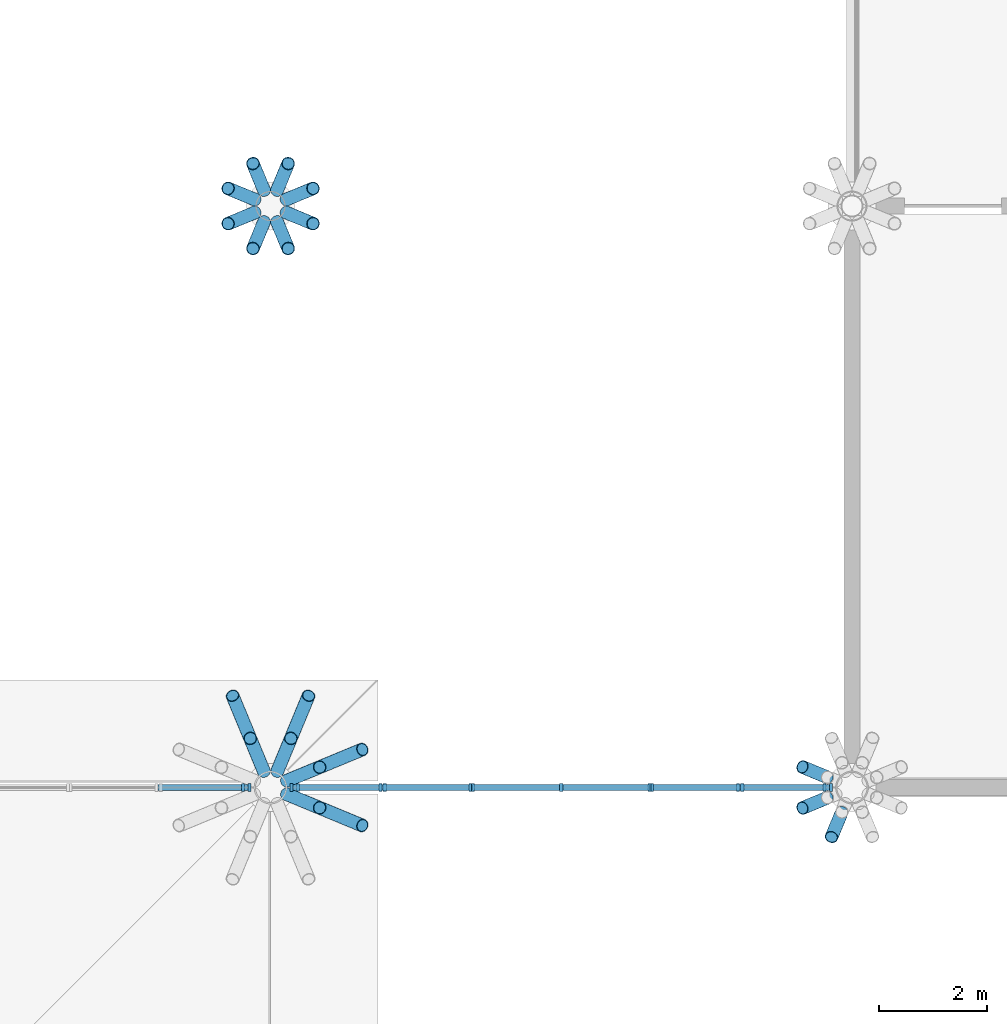
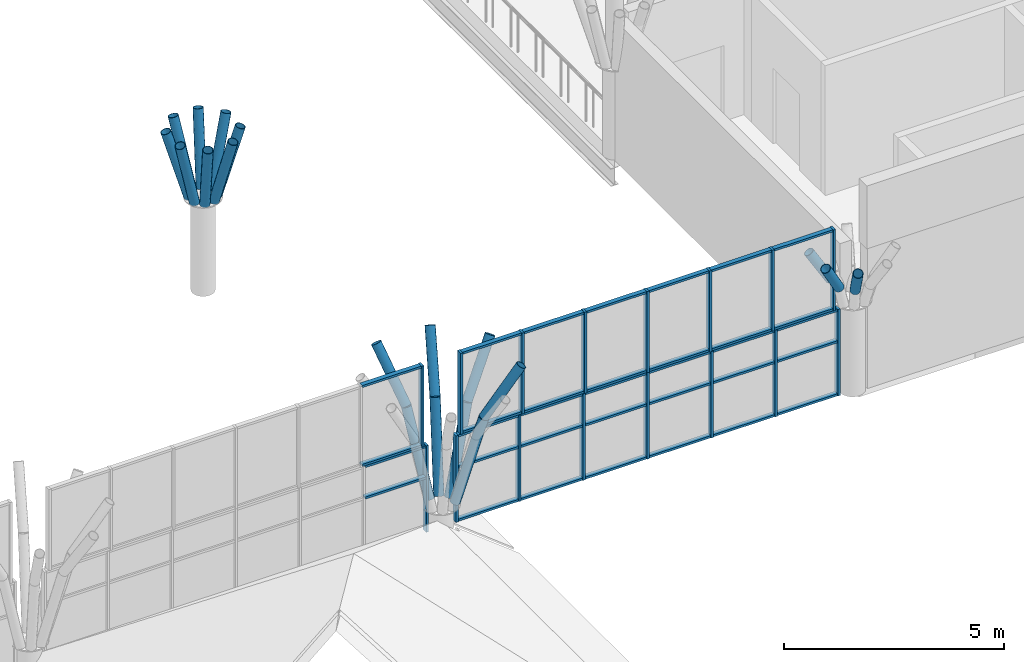
# One storey, part 19 of 95: 69 members, 4 elements without a shape of their own.
"""IFC4 building model written with IfcOpenShell, lengths in metres."""

from ifc_helpers import new_model, si_unit, direction, frame, origin, origin_2d, place, context, subcontext, project, spatial, rectangle, hollow_circle, extrude, material, layer, layer_set, material_profile, profile_set, type_object, element, aggregate, save


model = new_model("IFC4")

# Units and contexts
model_context = context("Model", 3, precision=1e-05, world=origin(), true_north=direction((0.0, 1.0)))
body_context = subcontext(model_context, "Body", "Model", "MODEL_VIEW")
ifc_project = project(units=[si_unit("LENGTHUNIT", "METRE"), si_unit("AREAUNIT", "SQUARE_METRE"), si_unit("VOLUMEUNIT", "CUBIC_METRE"), si_unit("PLANEANGLEUNIT", "RADIAN"), si_unit("MASSUNIT", "GRAM", prefix="KILO")], contexts=[model_context])

# Site, building, storey
site_placement = place(None, origin())
site = spatial("IfcSite", under=ifc_project, at=site_placement, CompositionType="ELEMENT")
building_placement = place(site_placement, origin())
building = spatial("IfcBuilding", under=site, at=building_placement, Name="Magnolia Steps Interchange", CompositionType="ELEMENT")
storey_placement = place(building_placement, frame((0.0, 0.0, 4.800048828125)))
storey = spatial("IfcBuildingStorey", under=building, at=storey_placement, Name="L01", CompositionType="ELEMENT", Elevation=4.800048828125)

# Curtain wall, member
ifc_material_1 = material(Name="Powder-coated aluminium and glass", Category="aluminium")
ifc_layer_1 = layer(ifc_material_1, 0.14990234375)
ifc_layer_set_1 = layer_set([ifc_layer_1], Name="Glazed hall curtain wall")
curtain_wall_type_1 = type_object("IfcCurtainWallType", Name="Glazed hall curtain wall", PredefinedType="NOTDEFINED", material=ifc_layer_set_1)
curtain_wall_1_placement = place(storey_placement, origin())
curtain_wall_1 = element("IfcCurtainWall", 1, at=curtain_wall_1_placement, inside=storey, type_object=curtain_wall_type_1, Name="Hall glazing S4 L01", PredefinedType="NOTDEFINED")
ifc_material_2 = material(Name="White powder-coated aluminium", Category="aluminium")
ifc_material_profile_1 = material_profile(ifc_material_2, rectangle(XDim=0.06005859375, YDim=0.14990234375, at=origin_2d()), Name="Aluminium mullion 60 x 150")
ifc_profile_set_1 = profile_set([ifc_material_profile_1], Name="White powder-coated aluminium")
member_type_1 = type_object("IfcMemberType", Name="Aluminium mullion 60 x 150", PredefinedType="MULLION", material=ifc_profile_set_1)
member_1_placement = place(storey_placement, frame((96.010009765625, 42.39990234375, 0.0), z_axis=(0.0, 0.0, 1.0), x_axis=(1.0, 0.0, 0.0)))
member_1 = element("IfcMember", 2, at=member_1_placement, type_object=member_type_1, Name="CW1 mullion 7", PredefinedType="MULLION", context=body_context, shape_type="SweptSolid", body=[
    extrude(rectangle(XDim=0.06005859375, YDim=0.14990234375, at=origin_2d()), origin(), (0.0, 0.0, 1.0), 2.39990234375),
])

ifc_material_3 = material(Name="Powder-coated aluminium and glass", Category="aluminium")
ifc_layer_2 = layer(ifc_material_3, 0.1201171875)
ifc_layer_set_2 = layer_set([ifc_layer_2], Name="Hall clerestory curtain wall")
curtain_wall_type_2 = type_object("IfcCurtainWallType", Name="Hall clerestory curtain wall", PredefinedType="NOTDEFINED", material=ifc_layer_set_2)
curtain_wall_2_placement = place(storey_placement, origin())
curtain_wall_2 = element("IfcCurtainWall", 3, at=curtain_wall_2_placement, inside=storey, type_object=curtain_wall_type_2, Name="Hall clerestory S4", PredefinedType="NOTDEFINED")
member_2_placement = place(storey_placement, frame((95.889892578125, 42.39990234375, 2.39990234375), z_axis=(0.0, 0.0, 1.0), x_axis=(1.0, 0.0, 0.0)))
member_2 = element("IfcMember", 4, at=member_2_placement, type_object=member_type_1, Name="CW6 mullion 7", PredefinedType="MULLION", context=body_context, shape_type="SweptSolid", body=[
    extrude(rectangle(XDim=0.06005859375, YDim=0.14990234375, at=origin_2d()), origin(), (0.0, 0.0, 1.0), 2.248779296875),
])

# Curtain wall, members
curtain_wall_3_placement = place(storey_placement, origin())
curtain_wall_3 = element("IfcCurtainWall", 5, at=curtain_wall_3_placement, inside=storey, type_object=curtain_wall_type_1, Name="Hall glazing S5 L01", PredefinedType="NOTDEFINED")
member_3_placement = place(storey_placement, frame((96.7900390625, 42.39990234375, 0.0), z_axis=(0.0, 0.0, 1.0), x_axis=(1.0, 0.0, 0.0)))
member_3 = element("IfcMember", 6, at=member_3_placement, type_object=member_type_1, Name="CW1 mullion 1", PredefinedType="MULLION", context=body_context, shape_type="SweptSolid", body=[
    extrude(rectangle(XDim=0.06005859375, YDim=0.14990234375, at=origin_2d()), origin(), (0.0, 0.0, 1.0), 2.39990234375),
])
member_4_placement = place(storey_placement, frame((98.43994140625, 42.39990234375, 0.0), z_axis=(0.0, 0.0, 1.0), x_axis=(1.0, 0.0, 0.0)))
member_4 = element("IfcMember", 7, at=member_4_placement, type_object=member_type_1, Name="CW1 mullion 2", PredefinedType="MULLION", context=body_context, shape_type="SweptSolid", body=[
    extrude(rectangle(XDim=0.06005859375, YDim=0.14990234375, at=origin_2d()), origin(), (0.0, 0.0, 1.0), 2.39990234375),
])
member_5_placement = place(storey_placement, frame((100.1201171875, 42.39990234375, 0.0), z_axis=(0.0, 0.0, 1.0), x_axis=(1.0, 0.0, 0.0)))
member_5 = element("IfcMember", 8, at=member_5_placement, type_object=member_type_1, Name="CW1 mullion 3", PredefinedType="MULLION", context=body_context, shape_type="SweptSolid", body=[
    extrude(rectangle(XDim=0.06005859375, YDim=0.14990234375, at=origin_2d()), origin(), (0.0, 0.0, 1.0), 2.39990234375),
])
member_6_placement = place(storey_placement, frame((101.800048828125, 42.39990234375, 0.0), z_axis=(0.0, 0.0, 1.0), x_axis=(1.0, 0.0, 0.0)))
member_6 = element("IfcMember", 9, at=member_6_placement, type_object=member_type_1, Name="CW1 mullion 4", PredefinedType="MULLION", context=body_context, shape_type="SweptSolid", body=[
    extrude(rectangle(XDim=0.06005859375, YDim=0.14990234375, at=origin_2d()), origin(), (0.0, 0.0, 1.0), 2.39990234375),
])
member_7_placement = place(storey_placement, frame((103.47998046875, 42.39990234375, 0.0), z_axis=(0.0, 0.0, 1.0), x_axis=(1.0, 0.0, 0.0)))
member_7 = element("IfcMember", 10, at=member_7_placement, type_object=member_type_1, Name="CW1 mullion 5", PredefinedType="MULLION", context=body_context, shape_type="SweptSolid", body=[
    extrude(rectangle(XDim=0.06005859375, YDim=0.14990234375, at=origin_2d()), origin(), (0.0, 0.0, 1.0), 2.39990234375),
])
member_8_placement = place(storey_placement, frame((105.159912109375, 42.39990234375, 0.0), z_axis=(0.0, 0.0, 1.0), x_axis=(1.0, 0.0, 0.0)))
member_8 = element("IfcMember", 11, at=member_8_placement, type_object=member_type_1, Name="CW1 mullion 6", PredefinedType="MULLION", context=body_context, shape_type="SweptSolid", body=[
    extrude(rectangle(XDim=0.06005859375, YDim=0.14990234375, at=origin_2d()), origin(), (0.0, 0.0, 1.0), 2.39990234375),
])
member_9_placement = place(storey_placement, frame((106.81005859375, 42.39990234375, 0.0), z_axis=(0.0, 0.0, 1.0), x_axis=(1.0, 0.0, 0.0)))
member_9 = element("IfcMember", 12, at=member_9_placement, type_object=member_type_1, Name="CW1 mullion 7", PredefinedType="MULLION", context=body_context, shape_type="SweptSolid", body=[
    extrude(rectangle(XDim=0.06005859375, YDim=0.14990234375, at=origin_2d()), origin(), (0.0, 0.0, 1.0), 2.39990234375),
])

curtain_wall_4_placement = place(storey_placement, origin())
curtain_wall_4 = element("IfcCurtainWall", 13, at=curtain_wall_4_placement, inside=storey, type_object=curtain_wall_type_2, Name="Hall clerestory S5", PredefinedType="NOTDEFINED")
member_10_placement = place(storey_placement, frame((96.909912109375, 42.39990234375, 2.39990234375), z_axis=(0.0, 0.0, 1.0), x_axis=(1.0, 0.0, 0.0)))
member_10 = element("IfcMember", 14, at=member_10_placement, type_object=member_type_1, Name="CW6 mullion 1", PredefinedType="MULLION", context=body_context, shape_type="SweptSolid", body=[
    extrude(rectangle(XDim=0.06005859375, YDim=0.14990234375, at=origin_2d()), origin(), (0.0, 0.0, 1.0), 2.248779296875),
])
member_11_placement = place(storey_placement, frame((98.52001953125, 42.39990234375, 2.39990234375), z_axis=(0.0, 0.0, 1.0), x_axis=(1.0, 0.0, 0.0)))
member_11 = element("IfcMember", 15, at=member_11_placement, type_object=member_type_1, Name="CW6 mullion 2", PredefinedType="MULLION", context=body_context, shape_type="SweptSolid", body=[
    extrude(rectangle(XDim=0.06005859375, YDim=0.14990234375, at=origin_2d()), origin(), (0.0, 0.0, 1.0), 2.248779296875),
])
member_12_placement = place(storey_placement, frame((100.159912109375, 42.39990234375, 2.39990234375), z_axis=(0.0, 0.0, 1.0), x_axis=(1.0, 0.0, 0.0)))
member_12 = element("IfcMember", 16, at=member_12_placement, type_object=member_type_1, Name="CW6 mullion 3", PredefinedType="MULLION", context=body_context, shape_type="SweptSolid", body=[
    extrude(rectangle(XDim=0.06005859375, YDim=0.14990234375, at=origin_2d()), origin(), (0.0, 0.0, 1.0), 2.248779296875),
])
member_13_placement = place(storey_placement, frame((101.800048828125, 42.39990234375, 2.39990234375), z_axis=(0.0, 0.0, 1.0), x_axis=(1.0, 0.0, 0.0)))
member_13 = element("IfcMember", 17, at=member_13_placement, type_object=member_type_1, Name="CW6 mullion 4", PredefinedType="MULLION", context=body_context, shape_type="SweptSolid", body=[
    extrude(rectangle(XDim=0.06005859375, YDim=0.14990234375, at=origin_2d()), origin(), (0.0, 0.0, 1.0), 2.248779296875),
])
member_14_placement = place(storey_placement, frame((103.43994140625, 42.39990234375, 2.39990234375), z_axis=(0.0, 0.0, 1.0), x_axis=(1.0, 0.0, 0.0)))
member_14 = element("IfcMember", 18, at=member_14_placement, type_object=member_type_1, Name="CW6 mullion 5", PredefinedType="MULLION", context=body_context, shape_type="SweptSolid", body=[
    extrude(rectangle(XDim=0.06005859375, YDim=0.14990234375, at=origin_2d()), origin(), (0.0, 0.0, 1.0), 2.248779296875),
])
member_15_placement = place(storey_placement, frame((105.080078125, 42.39990234375, 2.39990234375), z_axis=(0.0, 0.0, 1.0), x_axis=(1.0, 0.0, 0.0)))
member_15 = element("IfcMember", 19, at=member_15_placement, type_object=member_type_1, Name="CW6 mullion 6", PredefinedType="MULLION", context=body_context, shape_type="SweptSolid", body=[
    extrude(rectangle(XDim=0.06005859375, YDim=0.14990234375, at=origin_2d()), origin(), (0.0, 0.0, 1.0), 2.248779296875),
])
member_16_placement = place(storey_placement, frame((106.68994140625, 42.39990234375, 2.39990234375), z_axis=(0.0, 0.0, 1.0), x_axis=(1.0, 0.0, 0.0)))
member_16 = element("IfcMember", 20, at=member_16_placement, type_object=member_type_1, Name="CW6 mullion 7", PredefinedType="MULLION", context=body_context, shape_type="SweptSolid", body=[
    extrude(rectangle(XDim=0.06005859375, YDim=0.14990234375, at=origin_2d()), origin(), (0.0, 0.0, 1.0), 2.248779296875),
])

# Member
ifc_material_4 = material(Name="White powder-coated aluminium", Category="aluminium")
ifc_material_profile_2 = material_profile(ifc_material_4, rectangle(XDim=0.06005859375, YDim=0.1201171875, at=origin_2d()), Name="Aluminium transom 60 x 120")
ifc_profile_set_2 = profile_set([ifc_material_profile_2], Name="White powder-coated aluminium")
member_type_2 = type_object("IfcMemberType", Name="Aluminium transom 60 x 120", PredefinedType="USERDEFINED", material=ifc_profile_set_2)
member_17_placement = place(storey_placement, frame((94.389892578125, 42.39990234375, 1.5), z_axis=(1.0, 0.0, 0.0), x_axis=(0.0, 0.0, 1.0)))
member_17 = element("IfcMember", 21, at=member_17_placement, type_object=member_type_2, Name="CW1 transom 6.2", ObjectType="TRANSOM", PredefinedType="USERDEFINED", context=body_context, shape_type="SweptSolid", body=[
    extrude(rectangle(XDim=0.06005859375, YDim=0.1201171875, at=origin_2d()), origin(), (0.0, 0.0, 1.0), 1.590087890625),
])

member_18_placement = place(storey_placement, frame((94.389892578125, 42.39990234375, 2.369873046875), z_axis=(1.0, 0.0, 0.0), x_axis=(0.0, 0.0, 1.0)))
member_18 = element("IfcMember", 22, at=member_18_placement, type_object=member_type_2, Name="CW1 transom 6.3", ObjectType="TRANSOM", PredefinedType="USERDEFINED", context=body_context, shape_type="SweptSolid", body=[
    extrude(rectangle(XDim=0.06005859375, YDim=0.1201171875, at=origin_2d()), origin(), (0.0, 0.0, 1.0), 1.590087890625),
])

aggregate(curtain_wall_1, [member_1, member_17, member_18])

member_19_placement = place(storey_placement, frame((94.31005859375, 42.39990234375, 2.429931640625), z_axis=(1.0, 0.0, 0.0), x_axis=(0.0, 0.0, 1.0)))
member_19 = element("IfcMember", 23, at=member_19_placement, type_object=member_type_2, Name="CW6 transom 6.1", ObjectType="TRANSOM", PredefinedType="USERDEFINED", context=body_context, shape_type="SweptSolid", body=[
    extrude(rectangle(XDim=0.06005859375, YDim=0.1201171875, at=origin_2d()), origin(), (0.0, 0.0, 1.0), 1.550048828125),
])

member_20_placement = place(storey_placement, frame((94.31005859375, 42.39990234375, 4.61865234375), z_axis=(1.0, 0.0, 0.0), x_axis=(0.0, 0.0, 1.0)))
member_20 = element("IfcMember", 24, at=member_20_placement, type_object=member_type_2, Name="CW6 transom 6.2", ObjectType="TRANSOM", PredefinedType="USERDEFINED", context=body_context, shape_type="SweptSolid", body=[
    extrude(rectangle(XDim=0.06005859375, YDim=0.1201171875, at=origin_2d()), origin(), (0.0, 0.0, 1.0), 1.550048828125),
])

aggregate(curtain_wall_2, [member_2, member_19, member_20])

member_21_placement = place(storey_placement, frame((96.820068359375, 42.39990234375, 0.030029296875), z_axis=(1.0, 0.0, 0.0), x_axis=(0.0, 0.0, 1.0)))
member_21 = element("IfcMember", 25, at=member_21_placement, type_object=member_type_2, Name="CW1 transom 1.1", ObjectType="TRANSOM", PredefinedType="USERDEFINED", context=body_context, shape_type="SweptSolid", body=[
    extrude(rectangle(XDim=0.06005859375, YDim=0.1201171875, at=origin_2d()), origin(), (0.0, 0.0, 1.0), 1.58984375),
])

member_22_placement = place(storey_placement, frame((96.820068359375, 42.39990234375, 1.5), z_axis=(1.0, 0.0, 0.0), x_axis=(0.0, 0.0, 1.0)))
member_22 = element("IfcMember", 26, at=member_22_placement, type_object=member_type_2, Name="CW1 transom 1.2", ObjectType="TRANSOM", PredefinedType="USERDEFINED", context=body_context, shape_type="SweptSolid", body=[
    extrude(rectangle(XDim=0.06005859375, YDim=0.1201171875, at=origin_2d()), origin(), (0.0, 0.0, 1.0), 1.58984375),
])

member_23_placement = place(storey_placement, frame((96.820068359375, 42.39990234375, 2.369873046875), z_axis=(1.0, 0.0, 0.0), x_axis=(0.0, 0.0, 1.0)))
member_23 = element("IfcMember", 27, at=member_23_placement, type_object=member_type_2, Name="CW1 transom 1.3", ObjectType="TRANSOM", PredefinedType="USERDEFINED", context=body_context, shape_type="SweptSolid", body=[
    extrude(rectangle(XDim=0.06005859375, YDim=0.1201171875, at=origin_2d()), origin(), (0.0, 0.0, 1.0), 1.58984375),
])

member_24_placement = place(storey_placement, frame((98.469970703125, 42.39990234375, 0.030029296875), z_axis=(1.0, 0.0, 0.0), x_axis=(0.0, 0.0, 1.0)))
member_24 = element("IfcMember", 28, at=member_24_placement, type_object=member_type_2, Name="CW1 transom 2.1", ObjectType="TRANSOM", PredefinedType="USERDEFINED", context=body_context, shape_type="SweptSolid", body=[
    extrude(rectangle(XDim=0.06005859375, YDim=0.1201171875, at=origin_2d()), origin(), (0.0, 0.0, 1.0), 1.6201171875),
])

member_25_placement = place(storey_placement, frame((98.469970703125, 42.39990234375, 1.5), z_axis=(1.0, 0.0, 0.0), x_axis=(0.0, 0.0, 1.0)))
member_25 = element("IfcMember", 29, at=member_25_placement, type_object=member_type_2, Name="CW1 transom 2.2", ObjectType="TRANSOM", PredefinedType="USERDEFINED", context=body_context, shape_type="SweptSolid", body=[
    extrude(rectangle(XDim=0.06005859375, YDim=0.1201171875, at=origin_2d()), origin(), (0.0, 0.0, 1.0), 1.6201171875),
])

member_26_placement = place(storey_placement, frame((98.469970703125, 42.39990234375, 2.369873046875), z_axis=(1.0, 0.0, 0.0), x_axis=(0.0, 0.0, 1.0)))
member_26 = element("IfcMember", 30, at=member_26_placement, type_object=member_type_2, Name="CW1 transom 2.3", ObjectType="TRANSOM", PredefinedType="USERDEFINED", context=body_context, shape_type="SweptSolid", body=[
    extrude(rectangle(XDim=0.06005859375, YDim=0.1201171875, at=origin_2d()), origin(), (0.0, 0.0, 1.0), 1.6201171875),
])

member_27_placement = place(storey_placement, frame((100.14990234375, 42.39990234375, 0.030029296875), z_axis=(1.0, 0.0, 0.0), x_axis=(0.0, 0.0, 1.0)))
member_27 = element("IfcMember", 31, at=member_27_placement, type_object=member_type_2, Name="CW1 transom 3.1", ObjectType="TRANSOM", PredefinedType="USERDEFINED", context=body_context, shape_type="SweptSolid", body=[
    extrude(rectangle(XDim=0.06005859375, YDim=0.1201171875, at=origin_2d()), origin(), (0.0, 0.0, 1.0), 1.6201171875),
])

member_28_placement = place(storey_placement, frame((100.14990234375, 42.39990234375, 1.5), z_axis=(1.0, 0.0, 0.0), x_axis=(0.0, 0.0, 1.0)))
member_28 = element("IfcMember", 32, at=member_28_placement, type_object=member_type_2, Name="CW1 transom 3.2", ObjectType="TRANSOM", PredefinedType="USERDEFINED", context=body_context, shape_type="SweptSolid", body=[
    extrude(rectangle(XDim=0.06005859375, YDim=0.1201171875, at=origin_2d()), origin(), (0.0, 0.0, 1.0), 1.6201171875),
])

member_29_placement = place(storey_placement, frame((100.14990234375, 42.39990234375, 2.369873046875), z_axis=(1.0, 0.0, 0.0), x_axis=(0.0, 0.0, 1.0)))
member_29 = element("IfcMember", 33, at=member_29_placement, type_object=member_type_2, Name="CW1 transom 3.3", ObjectType="TRANSOM", PredefinedType="USERDEFINED", context=body_context, shape_type="SweptSolid", body=[
    extrude(rectangle(XDim=0.06005859375, YDim=0.1201171875, at=origin_2d()), origin(), (0.0, 0.0, 1.0), 1.6201171875),
])

member_30_placement = place(storey_placement, frame((101.830078125, 42.39990234375, 0.030029296875), z_axis=(1.0, 0.0, 0.0), x_axis=(0.0, 0.0, 1.0)))
member_30 = element("IfcMember", 34, at=member_30_placement, type_object=member_type_2, Name="CW1 transom 4.1", ObjectType="TRANSOM", PredefinedType="USERDEFINED", context=body_context, shape_type="SweptSolid", body=[
    extrude(rectangle(XDim=0.06005859375, YDim=0.1201171875, at=origin_2d()), origin(), (0.0, 0.0, 1.0), 1.619873046875),
])

member_31_placement = place(storey_placement, frame((101.830078125, 42.39990234375, 1.5), z_axis=(1.0, 0.0, 0.0), x_axis=(0.0, 0.0, 1.0)))
member_31 = element("IfcMember", 35, at=member_31_placement, type_object=member_type_2, Name="CW1 transom 4.2", ObjectType="TRANSOM", PredefinedType="USERDEFINED", context=body_context, shape_type="SweptSolid", body=[
    extrude(rectangle(XDim=0.06005859375, YDim=0.1201171875, at=origin_2d()), origin(), (0.0, 0.0, 1.0), 1.619873046875),
])

member_32_placement = place(storey_placement, frame((101.830078125, 42.39990234375, 2.369873046875), z_axis=(1.0, 0.0, 0.0), x_axis=(0.0, 0.0, 1.0)))
member_32 = element("IfcMember", 36, at=member_32_placement, type_object=member_type_2, Name="CW1 transom 4.3", ObjectType="TRANSOM", PredefinedType="USERDEFINED", context=body_context, shape_type="SweptSolid", body=[
    extrude(rectangle(XDim=0.06005859375, YDim=0.1201171875, at=origin_2d()), origin(), (0.0, 0.0, 1.0), 1.619873046875),
])

member_33_placement = place(storey_placement, frame((103.510009765625, 42.39990234375, 0.030029296875), z_axis=(1.0, 0.0, 0.0), x_axis=(0.0, 0.0, 1.0)))
member_33 = element("IfcMember", 37, at=member_33_placement, type_object=member_type_2, Name="CW1 transom 5.1", ObjectType="TRANSOM", PredefinedType="USERDEFINED", context=body_context, shape_type="SweptSolid", body=[
    extrude(rectangle(XDim=0.06005859375, YDim=0.1201171875, at=origin_2d()), origin(), (0.0, 0.0, 1.0), 1.619873046875),
])

member_34_placement = place(storey_placement, frame((103.510009765625, 42.39990234375, 1.5), z_axis=(1.0, 0.0, 0.0), x_axis=(0.0, 0.0, 1.0)))
member_34 = element("IfcMember", 38, at=member_34_placement, type_object=member_type_2, Name="CW1 transom 5.2", ObjectType="TRANSOM", PredefinedType="USERDEFINED", context=body_context, shape_type="SweptSolid", body=[
    extrude(rectangle(XDim=0.06005859375, YDim=0.1201171875, at=origin_2d()), origin(), (0.0, 0.0, 1.0), 1.619873046875),
])

member_35_placement = place(storey_placement, frame((103.510009765625, 42.39990234375, 2.369873046875), z_axis=(1.0, 0.0, 0.0), x_axis=(0.0, 0.0, 1.0)))
member_35 = element("IfcMember", 39, at=member_35_placement, type_object=member_type_2, Name="CW1 transom 5.3", ObjectType="TRANSOM", PredefinedType="USERDEFINED", context=body_context, shape_type="SweptSolid", body=[
    extrude(rectangle(XDim=0.06005859375, YDim=0.1201171875, at=origin_2d()), origin(), (0.0, 0.0, 1.0), 1.619873046875),
])

member_36_placement = place(storey_placement, frame((105.18994140625, 42.39990234375, 0.030029296875), z_axis=(1.0, 0.0, 0.0), x_axis=(0.0, 0.0, 1.0)))
member_36 = element("IfcMember", 40, at=member_36_placement, type_object=member_type_2, Name="CW1 transom 6.1", ObjectType="TRANSOM", PredefinedType="USERDEFINED", context=body_context, shape_type="SweptSolid", body=[
    extrude(rectangle(XDim=0.06005859375, YDim=0.1201171875, at=origin_2d()), origin(), (0.0, 0.0, 1.0), 1.590087890625),
])

member_37_placement = place(storey_placement, frame((105.18994140625, 42.39990234375, 1.5), z_axis=(1.0, 0.0, 0.0), x_axis=(0.0, 0.0, 1.0)))
member_37 = element("IfcMember", 41, at=member_37_placement, type_object=member_type_2, Name="CW1 transom 6.2", ObjectType="TRANSOM", PredefinedType="USERDEFINED", context=body_context, shape_type="SweptSolid", body=[
    extrude(rectangle(XDim=0.06005859375, YDim=0.1201171875, at=origin_2d()), origin(), (0.0, 0.0, 1.0), 1.590087890625),
])

member_38_placement = place(storey_placement, frame((105.18994140625, 42.39990234375, 2.369873046875), z_axis=(1.0, 0.0, 0.0), x_axis=(0.0, 0.0, 1.0)))
member_38 = element("IfcMember", 42, at=member_38_placement, type_object=member_type_2, Name="CW1 transom 6.3", ObjectType="TRANSOM", PredefinedType="USERDEFINED", context=body_context, shape_type="SweptSolid", body=[
    extrude(rectangle(XDim=0.06005859375, YDim=0.1201171875, at=origin_2d()), origin(), (0.0, 0.0, 1.0), 1.590087890625),
])

aggregate(curtain_wall_3, [member_3, member_4, member_5, member_6, member_7, member_8, member_9, member_21, member_22, member_23, member_24, member_25, member_26, member_27, member_28, member_29, member_30, member_31, member_32, member_33, member_34, member_35, member_36, member_37, member_38])

member_39_placement = place(storey_placement, frame((96.93994140625, 42.39990234375, 2.429931640625), z_axis=(1.0, 0.0, 0.0), x_axis=(0.0, 0.0, 1.0)))
member_39 = element("IfcMember", 43, at=member_39_placement, type_object=member_type_2, Name="CW6 transom 1.1", ObjectType="TRANSOM", PredefinedType="USERDEFINED", context=body_context, shape_type="SweptSolid", body=[
    extrude(rectangle(XDim=0.06005859375, YDim=0.1201171875, at=origin_2d()), origin(), (0.0, 0.0, 1.0), 1.550048828125),
])

member_40_placement = place(storey_placement, frame((96.93994140625, 42.39990234375, 4.61865234375), z_axis=(1.0, 0.0, 0.0), x_axis=(0.0, 0.0, 1.0)))
member_40 = element("IfcMember", 44, at=member_40_placement, type_object=member_type_2, Name="CW6 transom 1.2", ObjectType="TRANSOM", PredefinedType="USERDEFINED", context=body_context, shape_type="SweptSolid", body=[
    extrude(rectangle(XDim=0.06005859375, YDim=0.1201171875, at=origin_2d()), origin(), (0.0, 0.0, 1.0), 1.550048828125),
])

member_41_placement = place(storey_placement, frame((98.550048828125, 42.39990234375, 2.429931640625), z_axis=(1.0, 0.0, 0.0), x_axis=(0.0, 0.0, 1.0)))
member_41 = element("IfcMember", 45, at=member_41_placement, type_object=member_type_2, Name="CW6 transom 2.1", ObjectType="TRANSOM", PredefinedType="USERDEFINED", context=body_context, shape_type="SweptSolid", body=[
    extrude(rectangle(XDim=0.06005859375, YDim=0.1201171875, at=origin_2d()), origin(), (0.0, 0.0, 1.0), 1.579833984375),
])

member_42_placement = place(storey_placement, frame((98.550048828125, 42.39990234375, 4.61865234375), z_axis=(1.0, 0.0, 0.0), x_axis=(0.0, 0.0, 1.0)))
member_42 = element("IfcMember", 46, at=member_42_placement, type_object=member_type_2, Name="CW6 transom 2.2", ObjectType="TRANSOM", PredefinedType="USERDEFINED", context=body_context, shape_type="SweptSolid", body=[
    extrude(rectangle(XDim=0.06005859375, YDim=0.1201171875, at=origin_2d()), origin(), (0.0, 0.0, 1.0), 1.579833984375),
])

member_43_placement = place(storey_placement, frame((100.18994140625, 42.39990234375, 2.429931640625), z_axis=(1.0, 0.0, 0.0), x_axis=(0.0, 0.0, 1.0)))
member_43 = element("IfcMember", 47, at=member_43_placement, type_object=member_type_2, Name="CW6 transom 3.1", ObjectType="TRANSOM", PredefinedType="USERDEFINED", context=body_context, shape_type="SweptSolid", body=[
    extrude(rectangle(XDim=0.06005859375, YDim=0.1201171875, at=origin_2d()), origin(), (0.0, 0.0, 1.0), 1.580078125),
])

member_44_placement = place(storey_placement, frame((100.18994140625, 42.39990234375, 4.61865234375), z_axis=(1.0, 0.0, 0.0), x_axis=(0.0, 0.0, 1.0)))
member_44 = element("IfcMember", 48, at=member_44_placement, type_object=member_type_2, Name="CW6 transom 3.2", ObjectType="TRANSOM", PredefinedType="USERDEFINED", context=body_context, shape_type="SweptSolid", body=[
    extrude(rectangle(XDim=0.06005859375, YDim=0.1201171875, at=origin_2d()), origin(), (0.0, 0.0, 1.0), 1.580078125),
])

member_45_placement = place(storey_placement, frame((101.830078125, 42.39990234375, 2.429931640625), z_axis=(1.0, 0.0, 0.0), x_axis=(0.0, 0.0, 1.0)))
member_45 = element("IfcMember", 49, at=member_45_placement, type_object=member_type_2, Name="CW6 transom 4.1", ObjectType="TRANSOM", PredefinedType="USERDEFINED", context=body_context, shape_type="SweptSolid", body=[
    extrude(rectangle(XDim=0.06005859375, YDim=0.1201171875, at=origin_2d()), origin(), (0.0, 0.0, 1.0), 1.579833984375),
])

member_46_placement = place(storey_placement, frame((101.830078125, 42.39990234375, 4.61865234375), z_axis=(1.0, 0.0, 0.0), x_axis=(0.0, 0.0, 1.0)))
member_46 = element("IfcMember", 50, at=member_46_placement, type_object=member_type_2, Name="CW6 transom 4.2", ObjectType="TRANSOM", PredefinedType="USERDEFINED", context=body_context, shape_type="SweptSolid", body=[
    extrude(rectangle(XDim=0.06005859375, YDim=0.1201171875, at=origin_2d()), origin(), (0.0, 0.0, 1.0), 1.579833984375),
])

member_47_placement = place(storey_placement, frame((103.469970703125, 42.39990234375, 2.429931640625), z_axis=(1.0, 0.0, 0.0), x_axis=(0.0, 0.0, 1.0)))
member_47 = element("IfcMember", 51, at=member_47_placement, type_object=member_type_2, Name="CW6 transom 5.1", ObjectType="TRANSOM", PredefinedType="USERDEFINED", context=body_context, shape_type="SweptSolid", body=[
    extrude(rectangle(XDim=0.06005859375, YDim=0.1201171875, at=origin_2d()), origin(), (0.0, 0.0, 1.0), 1.580078125),
])

member_48_placement = place(storey_placement, frame((103.469970703125, 42.39990234375, 4.61865234375), z_axis=(1.0, 0.0, 0.0), x_axis=(0.0, 0.0, 1.0)))
member_48 = element("IfcMember", 52, at=member_48_placement, type_object=member_type_2, Name="CW6 transom 5.2", ObjectType="TRANSOM", PredefinedType="USERDEFINED", context=body_context, shape_type="SweptSolid", body=[
    extrude(rectangle(XDim=0.06005859375, YDim=0.1201171875, at=origin_2d()), origin(), (0.0, 0.0, 1.0), 1.580078125),
])

member_49_placement = place(storey_placement, frame((105.110107421875, 42.39990234375, 2.429931640625), z_axis=(1.0, 0.0, 0.0), x_axis=(0.0, 0.0, 1.0)))
member_49 = element("IfcMember", 53, at=member_49_placement, type_object=member_type_2, Name="CW6 transom 6.1", ObjectType="TRANSOM", PredefinedType="USERDEFINED", context=body_context, shape_type="SweptSolid", body=[
    extrude(rectangle(XDim=0.06005859375, YDim=0.1201171875, at=origin_2d()), origin(), (0.0, 0.0, 1.0), 1.5498046875),
])

member_50_placement = place(storey_placement, frame((105.110107421875, 42.39990234375, 4.61865234375), z_axis=(1.0, 0.0, 0.0), x_axis=(0.0, 0.0, 1.0)))
member_50 = element("IfcMember", 54, at=member_50_placement, type_object=member_type_2, Name="CW6 transom 6.2", ObjectType="TRANSOM", PredefinedType="USERDEFINED", context=body_context, shape_type="SweptSolid", body=[
    extrude(rectangle(XDim=0.06005859375, YDim=0.1201171875, at=origin_2d()), origin(), (0.0, 0.0, 1.0), 1.5498046875),
])

aggregate(curtain_wall_4, [member_10, member_11, member_12, member_13, member_14, member_15, member_16, member_39, member_40, member_41, member_42, member_43, member_44, member_45, member_46, member_47, member_48, member_49, member_50])

# Members
ifc_material_5 = material(Name="Steel Q355B", Category="steel")
ifc_material_profile_3 = material_profile(ifc_material_5, hollow_circle(Radius=0.12255859375, WallThickness=0.011962890625, at=origin_2d()), Name="CHS245x12")
ifc_profile_set_3 = profile_set([ifc_material_profile_3], Name="Steel Q355B")
member_type_3 = type_object("IfcMemberType", Name="Tree rib CHS245x12", PredefinedType="USERDEFINED", material=ifc_profile_set_3)
member_51_placement = place(storey_placement, frame((96.704833984375, 42.5263671875, 0.61865234375), z_axis=(0.254679018405, 0.105373827881, 0.961267368624), x_axis=(-0.382318975891, 0.924030411119, 0.0)))
element("IfcMember", 55, at=member_51_placement, inside=storey, type_object=member_type_3, Name="Tree rib TH05A", ObjectType="TREE RIB", PredefinedType="USERDEFINED", context=body_context, shape_type="SweptSolid", body=[
    extrude(hollow_circle(Radius=0.12255859375, WallThickness=0.011962890625, at=origin_2d()), origin(), (0.0, 0.0, 1.0), 2.384033203125),
])
member_52_placement = place(storey_placement, frame((97.31201171875, 42.777587890625, 2.910400390625), z_axis=(0.489571014481, 0.202820124805, 0.848047297475), x_axis=(-0.382736860682, 0.923857399968, 0.0)))
element("IfcMember", 56, at=member_52_placement, inside=storey, type_object=member_type_3, Name="Tree rib TH05A", ObjectType="TREE RIB", PredefinedType="USERDEFINED", context=body_context, shape_type="SweptSolid", body=[
    extrude(hollow_circle(Radius=0.12255859375, WallThickness=0.011962890625, at=origin_2d()), origin(), (0.0, 0.0, 1.0), 1.6201171875),
])
member_53_placement = place(storey_placement, frame((96.5263671875, 42.704833984375, 0.61865234375), z_axis=(0.105373827881, 0.254679018405, 0.961267368624), x_axis=(-0.924030411119, 0.382318975891, 0.0)))
element("IfcMember", 57, at=member_53_placement, inside=storey, type_object=member_type_3, Name="Tree rib TH05A", ObjectType="TREE RIB", PredefinedType="USERDEFINED", context=body_context, shape_type="SweptSolid", body=[
    extrude(hollow_circle(Radius=0.12255859375, WallThickness=0.011962890625, at=origin_2d()), origin(), (0.0, 0.0, 1.0), 2.384033203125),
])
member_54_placement = place(storey_placement, frame((96.777587890625, 43.31201171875, 2.910400390625), z_axis=(0.202820124805, 0.489571014481, 0.848047297475), x_axis=(-0.923857399968, 0.382736860682, 0.0)))
element("IfcMember", 58, at=member_54_placement, inside=storey, type_object=member_type_3, Name="Tree rib TH05A", ObjectType="TREE RIB", PredefinedType="USERDEFINED", context=body_context, shape_type="SweptSolid", body=[
    extrude(hollow_circle(Radius=0.12255859375, WallThickness=0.011962890625, at=origin_2d()), origin(), (0.0, 0.0, 1.0), 1.6201171875),
])
member_55_placement = place(storey_placement, frame((96.273681640625, 42.704833984375, 0.61865234375), z_axis=(-0.105475093291, 0.254676268946, 0.961256990992), x_axis=(-0.923899118291, -0.382636144688, 0.0)))
element("IfcMember", 59, at=member_55_placement, inside=storey, type_object=member_type_3, Name="Tree rib TH05A", ObjectType="TREE RIB", PredefinedType="USERDEFINED", context=body_context, shape_type="SweptSolid", body=[
    extrude(hollow_circle(Radius=0.12255859375, WallThickness=0.011962890625, at=origin_2d()), origin(), (0.0, 0.0, 1.0), 2.384033203125),
])
member_56_placement = place(storey_placement, frame((96.022216796875, 43.31201171875, 2.910400390625), z_axis=(-0.202820124805, 0.489571014481, 0.848047297475), x_axis=(-0.923857399968, -0.382736860682, 0.0)))
element("IfcMember", 60, at=member_56_placement, inside=storey, type_object=member_type_3, Name="Tree rib TH05A", ObjectType="TREE RIB", PredefinedType="USERDEFINED", context=body_context, shape_type="SweptSolid", body=[
    extrude(hollow_circle(Radius=0.12255859375, WallThickness=0.011962890625, at=origin_2d()), origin(), (0.0, 0.0, 1.0), 1.6201171875),
])
member_57_placement = place(storey_placement, frame((96.704833984375, 42.273681640625, 0.61865234375), z_axis=(0.254676268946, -0.105475093291, 0.961256990992), x_axis=(0.382636144688, 0.923899118291, 0.0)))
element("IfcMember", 61, at=member_57_placement, inside=storey, type_object=member_type_3, Name="Tree rib TH05A", ObjectType="TREE RIB", PredefinedType="USERDEFINED", context=body_context, shape_type="SweptSolid", body=[
    extrude(hollow_circle(Radius=0.12255859375, WallThickness=0.011962890625, at=origin_2d()), origin(), (0.0, 0.0, 1.0), 2.384033203125),
])
member_58_placement = place(storey_placement, frame((97.31201171875, 42.022216796875, 2.910400390625), z_axis=(0.489571014481, -0.202820124805, 0.848047297475), x_axis=(0.382736860682, 0.923857399968, 0.0)))
element("IfcMember", 62, at=member_58_placement, inside=storey, type_object=member_type_3, Name="Tree rib TH05A", ObjectType="TREE RIB", PredefinedType="USERDEFINED", context=body_context, shape_type="SweptSolid", body=[
    extrude(hollow_circle(Radius=0.12255859375, WallThickness=0.011962890625, at=origin_2d()), origin(), (0.0, 0.0, 1.0), 1.6201171875),
])
for number, where, z_axis, x_axis, name in (
    (63, (96.6953125, 53.322265625, 2.59423828125), (0.254527874579, 0.105456240381, 0.961298362855), (-0.382768141022, 0.923844440487, 0.0), "Tree rib TH05B"),
    (64, (96.522216796875, 53.4951171875, 2.59423828125), (0.105452865921, 0.254645418779, 0.961267602577), (-0.923911239629, 0.382606875641, 0.0), "Tree rib TH05B"),
    (65, (96.277587890625, 53.4951171875, 2.59423828125), (-0.105328572393, 0.254648791966, 0.961280336108), (-0.924072388976, -0.382217503436, 0.0), "Tree rib TH05B"),
    (66, (96.104736328125, 53.322265625, 2.59423828125), (-0.254645418779, 0.105452865921, 0.961267602577), (-0.382606875641, -0.923911239629, 0.0), "Tree rib TH05B"),
    (67, (96.104736328125, 53.07763671875, 2.59423828125), (-0.254645418779, -0.105452865921, 0.961267602577), (0.382606875641, -0.923911239629, 0.0), "Tree rib TH05B"),
    (68, (96.277587890625, 52.90478515625, 2.59423828125), (-0.105328572393, -0.254648791966, 0.961280336108), (0.924072388976, -0.382217503436, 0.0), "Tree rib TH05B"),
    (69, (96.522216796875, 52.90478515625, 2.59423828125), (0.105452865921, -0.254645418779, 0.961267602577), (0.923911239629, 0.382606875641, 0.0), "Tree rib TH05B"),
    (70, (96.6953125, 53.07763671875, 2.59423828125), (0.254527874579, -0.105456240381, 0.961298362855), (0.382768141022, 0.923844440487, 0.0), "Tree rib TH05B"),
):
    element("IfcMember", number, at=place(storey_placement, frame(where, z_axis=z_axis, x_axis=x_axis)), inside=storey, type_object=member_type_3, Name=name, ObjectType="TREE RIB", PredefinedType="USERDEFINED", context=body_context, shape_type="SweptSolid", body=[
        extrude(hollow_circle(Radius=0.12255859375, WallThickness=0.011962890625, at=origin_2d()), origin(), (0.0, 0.0, 1.0), 1.9423828125),
    ])
for number, where, z_axis, x_axis, name in (
    (71, (106.7421875, 42.589599609375, 3.0966796875), (-0.489491884821, 0.202752691239, 0.84810909728), (-0.382681038186, -0.923880524209, 0.0), "Tree rib TH06A"),
    (72, (106.7421875, 42.21044921875, 3.0966796875), (-0.489491884821, -0.202752691239, 0.84810909728), (0.382681038186, -0.923880524209, 0.0), "Tree rib TH06A"),
    (73, (107.010498046875, 41.9423828125, 3.0966796875), (-0.202752691239, -0.489491884821, 0.84810909728), (0.923880524209, -0.382681038186, 0.0), "Tree rib TH06A"),
):
    element("IfcMember", number, at=place(storey_placement, frame(where, z_axis=z_axis, x_axis=x_axis)), inside=storey, type_object=member_type_3, Name=name, ObjectType="TREE RIB", PredefinedType="USERDEFINED", context=body_context, shape_type="SweptSolid", body=[
        extrude(hollow_circle(Radius=0.12255859375, WallThickness=0.011962890625, at=origin_2d()), origin(), (0.0, 0.0, 1.0), 0.94775390625),
    ])

save(model, "model.ifc")
